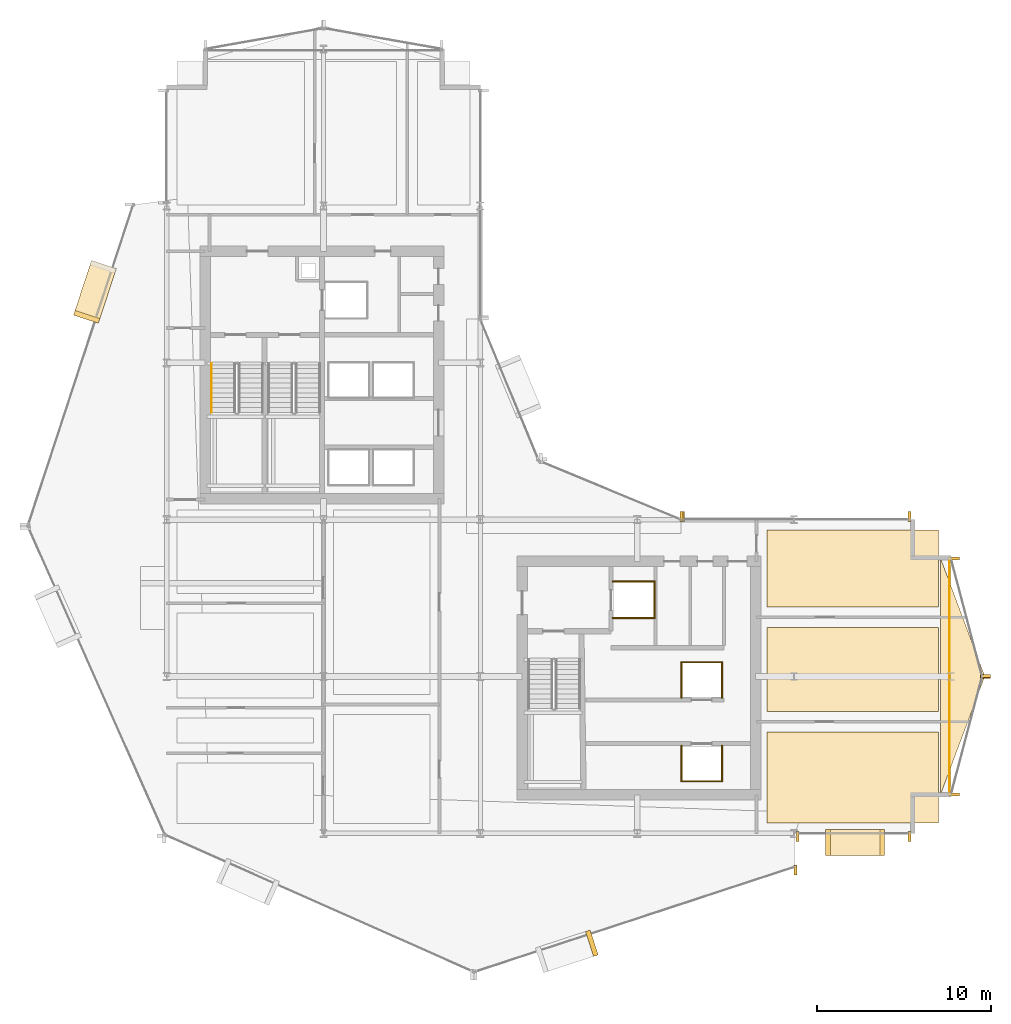
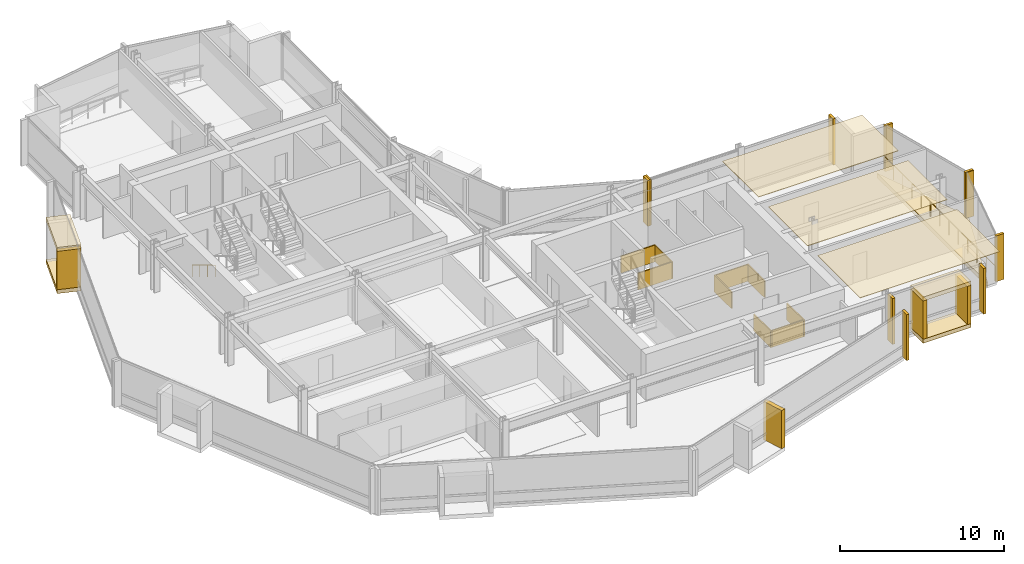
# One storey, part 27 of 28: 31 coverings, 2 railings.
"""IFC4 building model written with IfcOpenShell, lengths in metres."""

from ifc_helpers import new_model, si_unit, direction, frame, origin, origin_2d, place, context, subcontext, project, spatial, polyline, rectangle, circle, outline, extrude, material, layer, layer_set, type_object, element, save


model = new_model("IFC4")

# Units and contexts
model_context = context("Model", 3, precision=1e-05, world=origin(), true_north=direction((0.0, 1.0)))
body_context = subcontext(model_context, "Body", "Model", "MODEL_VIEW")
ifc_project = project(units=[si_unit("LENGTHUNIT", "METRE"), si_unit("AREAUNIT", "SQUARE_METRE"), si_unit("VOLUMEUNIT", "CUBIC_METRE"), si_unit("PLANEANGLEUNIT", "RADIAN"), si_unit("MASSUNIT", "GRAM", prefix="KILO")], contexts=[model_context])

# Site, building, storey
site_placement = place(None, origin())
site = spatial("IfcSite", under=ifc_project, at=site_placement, CompositionType="ELEMENT")
building_placement = place(site_placement, origin())
building = spatial("IfcBuilding", under=site, at=building_placement, Name="Solvaryn Broadcast Tower", CompositionType="ELEMENT")
storey_placement = place(building_placement, frame((0.0, 0.0, 110.0)))
storey = spatial("IfcBuildingStorey", under=building, at=storey_placement, Name="L26", CompositionType="ELEMENT", Elevation=110.0)

# Coverings
ifc_material_1 = material(Name="Micro-Perforated Acoustic Gypsum Ceiling", Category="concrete")
ifc_layer_1 = layer(ifc_material_1, 0.0400390625)
ifc_layer_set_1 = layer_set([ifc_layer_1], Name="CV-CEIL-ACOUSTIC")
covering_type_1 = type_object("IfcCoveringType", Name="CV-CEIL-ACOUSTIC", PredefinedType="CEILING", material=ifc_layer_set_1)
covering_1_placement = place(storey_placement, frame((0.0, 0.0, 3.3798828125)))
element("IfcCovering", 1, at=covering_1_placement, inside=storey, type_object=covering_type_1, Name="L26 Room Acoustic Ceiling 10", PredefinedType="CEILING", context=body_context, shape_type="SweptSolid", body=[
    extrude(outline(polyline([(43.449951171875, 9.60009765625), (53.300048828125, 9.60009765625), (53.300048828125, 14.800048828125), (43.449951171875, 14.800048828125), (43.449951171875, 9.60009765625)])), origin(), (0.0, 0.0, 1.0), 0.0400390625),
])
covering_2_placement = place(storey_placement, frame((0.0, 0.0, 3.3798828125)))
element("IfcCovering", 2, at=covering_2_placement, inside=storey, type_object=covering_type_1, Name="L26 Room Acoustic Ceiling 11", PredefinedType="CEILING", context=body_context, shape_type="SweptSolid", body=[
    extrude(outline(polyline([(43.449951171875, 16.0), (53.300048828125, 16.0), (53.300048828125, 20.800048828125), (43.449951171875, 20.800048828125), (43.449951171875, 16.0)])), origin(), (0.0, 0.0, 1.0), 0.0400390625),
])
covering_3_placement = place(storey_placement, frame((0.0, 0.0, 3.3798828125)))
element("IfcCovering", 3, at=covering_3_placement, inside=storey, type_object=covering_type_1, Name="L26 Room Acoustic Ceiling 12", PredefinedType="CEILING", context=body_context, shape_type="SweptSolid", body=[
    extrude(outline(polyline([(43.449951171875, 22.0), (53.300048828125, 22.0), (53.300048828125, 26.39990234375), (43.449951171875, 26.39990234375), (43.449951171875, 22.0)])), origin(), (0.0, 0.0, 1.0), 0.0400390625),
])
ifc_material_2 = material(Name="Fire-Rated Gypsum Shaftwall Liner", Category="concrete")
ifc_layer_2 = layer(ifc_material_2, 0.080078125)
ifc_layer_set_2 = layer_set([ifc_layer_2], Name="CV-SHAFT-LINER")
covering_type_2 = type_object("IfcCoveringType", Name="CV-SHAFT-LINER", PredefinedType="CLADDING", material=ifc_layer_set_2)
for number, where, z_axis, x_axis, name in (
    (4, (35.800048828125, 23.43994140625, 0.0), (0.0, 0.0, 1.0), (1.0, 0.0, 0.0), "L26 FL2 Hoistway Shaft Liner North"),
    (5, (35.800048828125, 21.360107421875, 0.0), (0.0, 0.0, 1.0), (1.0, 0.0, 0.0), "L26 FL2 Hoistway Shaft Liner South"),
):
    element("IfcCovering", number, at=place(storey_placement, frame(where, z_axis=z_axis, x_axis=x_axis)), inside=storey, type_object=covering_type_2, Name=name, PredefinedType="CLADDING", context=body_context, shape_type="SweptSolid", body=[
        extrude(rectangle(XDim=2.4599609375, YDim=0.080078125, at=origin_2d()), origin(), (0.0, 0.0, 1.0), 1.25),
    ])
covering_4_placement = place(storey_placement, frame((36.989990234375, 22.39990234375, 0.0), z_axis=(0.0, 0.0, 1.0), x_axis=(1.0, 0.0, 0.0)))
element("IfcCovering", 6, at=covering_4_placement, inside=storey, type_object=covering_type_2, Name="L26 FL2 Hoistway Shaft Liner East", PredefinedType="CLADDING", context=body_context, shape_type="SweptSolid", body=[
    extrude(rectangle(XDim=0.080078125, YDim=2.159912109375, at=origin_2d()), origin(), (0.0, 0.0, 1.0), 1.25),
])
covering_5_placement = place(storey_placement, frame((39.699951171875, 11.985107421875, 0.0), z_axis=(0.0, 0.0, 1.0), x_axis=(1.0, 0.0, 0.0)))
element("IfcCovering", 7, at=covering_5_placement, inside=storey, type_object=covering_type_2, Name="L26 PM1 Hoistway Shaft Liner South", PredefinedType="CLADDING", context=body_context, shape_type="SweptSolid", body=[
    extrude(rectangle(XDim=2.409912109375, YDim=0.080078125, at=origin_2d()), origin(), (0.0, 0.0, 1.0), 1.25),
])
for number, where, z_axis, x_axis, name in (
    (8, (40.864990234375, 13.0, 0.0), (0.0, 0.0, 1.0), (1.0, 0.0, 0.0), "L26 PM1 Hoistway Shaft Liner East"),
    (9, (38.534912109375, 13.0, 0.0), (0.0, 0.0, 1.0), (1.0, 0.0, 0.0), "L26 PM1 Hoistway Shaft Liner West"),
):
    element("IfcCovering", number, at=place(storey_placement, frame(where, z_axis=z_axis, x_axis=x_axis)), inside=storey, type_object=covering_type_2, Name=name, PredefinedType="CLADDING", context=body_context, shape_type="SweptSolid", body=[
        extrude(rectangle(XDim=0.080078125, YDim=2.110107421875, at=origin_2d()), origin(), (0.0, 0.0, 1.0), 1.25),
    ])
covering_6_placement = place(storey_placement, frame((39.699951171875, 18.81494140625, 0.0), z_axis=(0.0, 0.0, 1.0), x_axis=(1.0, 0.0, 0.0)))
element("IfcCovering", 10, at=covering_6_placement, inside=storey, type_object=covering_type_2, Name="L26 PM2 Hoistway Shaft Liner North", PredefinedType="CLADDING", context=body_context, shape_type="SweptSolid", body=[
    extrude(rectangle(XDim=2.409912109375, YDim=0.080078125, at=origin_2d()), origin(), (0.0, 0.0, 1.0), 1.25),
])
for number, where, z_axis, x_axis, name in (
    (11, (40.864990234375, 17.800048828125, 0.0), (0.0, 0.0, 1.0), (1.0, 0.0, 0.0), "L26 PM2 Hoistway Shaft Liner East"),
    (12, (38.534912109375, 17.800048828125, 0.0), (0.0, 0.0, 1.0), (1.0, 0.0, 0.0), "L26 PM2 Hoistway Shaft Liner West"),
):
    element("IfcCovering", number, at=place(storey_placement, frame(where, z_axis=z_axis, x_axis=x_axis)), inside=storey, type_object=covering_type_2, Name=name, PredefinedType="CLADDING", context=body_context, shape_type="SweptSolid", body=[
        extrude(rectangle(XDim=0.080078125, YDim=2.110107421875, at=origin_2d()), origin(), (0.0, 0.0, 1.0), 1.25),
    ])
ifc_material_3 = material(Name="Glazed Architectural Terracotta Rainscreen Cladding", Category="masonry")
ifc_layer_3 = layer(ifc_material_3, 0.280029296875)
ifc_layer_set_3 = layer_set([ifc_layer_3], Name="CV-TC-CLAD")
covering_type_3 = type_object("IfcCoveringType", Name="CV-TC-CLAD", PredefinedType="CLADDING", material=ifc_layer_set_3)
for number, where, z_axis, x_axis, name in (
    (13, (4.883056640625, 40.071044921875, 3.1298828125), (0.0, 0.0, 1.0), (-0.311671636848, -0.950189870912, 0.0), "L26 Projecting Stone Window Box Hood 1"),
    (14, (4.883056640625, 40.071044921875, -0.01025390625), (0.0, 0.0, 1.0), (-0.311671636848, -0.950189870912, 0.0), "L26 Projecting Stone Window Box Sill 1"),
):
    element("IfcCovering", number, at=place(storey_placement, frame(where, z_axis=z_axis, x_axis=x_axis)), inside=storey, type_object=covering_type_3, Name=name, PredefinedType="CLADDING", context=body_context, shape_type="SweptSolid", body=[
        extrude(rectangle(XDim=3.300048828125, YDim=1.5, at=origin_2d()), origin(), (0.0, 0.0, 1.0), 0.300048828125),
    ])
for number, where, z_axis, x_axis, name in (
    (15, (4.412353515625, 38.63623046875, 0.27978515625), (0.0, 0.0, 1.0), (-0.311671636848, -0.950189870912, 0.0), "L26 Projecting Stone Window Box Cheek 1-2"),
    (16, (33.396728515625, 2.693603515625, 0.27978515625), (0.0, 0.0, 1.0), (0.950189870912, 0.311671636848, 0.0), "L26 Projecting Stone Window Box Cheek 4-2"),
):
    element("IfcCovering", number, at=place(storey_placement, frame(where, z_axis=z_axis, x_axis=x_axis)), inside=storey, type_object=covering_type_3, Name=name, PredefinedType="CLADDING", context=body_context, shape_type="SweptSolid", body=[
        extrude(rectangle(XDim=0.280029296875, YDim=1.5, at=origin_2d()), origin(), (0.0, 0.0, 1.0), 2.860107421875),
    ])
for number, where, z_axis, x_axis, name in (
    (17, (48.5, 8.469970703125, 3.1298828125), (0.0, 0.0, 1.0), (1.0, 0.0, 0.0), "L26 Projecting Stone Window Box Hood 6"),
    (18, (48.5, 8.469970703125, -0.01025390625), (0.0, 0.0, 1.0), (1.0, 0.0, 0.0), "L26 Projecting Stone Window Box Sill 6"),
):
    element("IfcCovering", number, at=place(storey_placement, frame(where, z_axis=z_axis, x_axis=x_axis)), inside=storey, type_object=covering_type_3, Name=name, PredefinedType="CLADDING", context=body_context, shape_type="SweptSolid", body=[
        extrude(rectangle(XDim=3.39990234375, YDim=1.5, at=origin_2d()), origin(), (0.0, 0.0, 1.0), 0.300048828125),
    ])
for number, where, z_axis, x_axis, name in (
    (19, (46.93994140625, 8.469970703125, 0.27978515625), (0.0, 0.0, 1.0), (1.0, 0.0, 0.0), "L26 Projecting Stone Window Box Cheek 6-1"),
    (20, (50.06005859375, 8.469970703125, 0.27978515625), (0.0, 0.0, 1.0), (1.0, 0.0, 0.0), "L26 Projecting Stone Window Box Cheek 6-2"),
):
    element("IfcCovering", number, at=place(storey_placement, frame(where, z_axis=z_axis, x_axis=x_axis)), inside=storey, type_object=covering_type_3, Name=name, PredefinedType="CLADDING", context=body_context, shape_type="SweptSolid", body=[
        extrude(rectangle(XDim=0.280029296875, YDim=1.5, at=origin_2d()), origin(), (0.0, 0.0, 1.0), 2.860107421875),
    ])
ifc_material_4 = material(Name="Extruded Architectural Terracotta Fin", Category="masonry")
ifc_layer_4 = layer(ifc_material_4, 0.179931640625)
ifc_layer_set_4 = layer_set([ifc_layer_4], Name="CV-TC-FIN")
covering_type_4 = type_object("IfcCoveringType", Name="CV-TC-FIN", PredefinedType="USERDEFINED", material=ifc_layer_set_4)
for number, where, z_axis, x_axis, name in (
    (21, (45.0947265625, 6.898681640625, 0.0), (0.0, 0.0, 1.0), (1.0, 0.0, 0.0), "L26 Terracotta Vertical Fin FIN-L26-DR4-M01"),
    (22, (38.541259765625, 27.177978515625, 0.0), (0.0, 0.0, 1.0), (1.0, 0.0, 0.0), "L26 Terracotta Vertical Fin FIN-L26-CN1-M00"),
    (23, (45.197021484375, 8.8125, 0.0), (0.0, 0.0, 1.0), (1.0, 0.0, 0.0), "L26 Terracotta Vertical Fin FIN-L26-S2-M00"),
    (24, (51.6201171875, 8.8125, 0.0), (0.0, 0.0, 1.0), (1.0, 0.0, 0.0), "L26 Terracotta Vertical Fin FIN-L26-S2-M01"),
):
    element("IfcCovering", number, at=place(storey_placement, frame(where, z_axis=z_axis, x_axis=x_axis)), inside=storey, type_object=covering_type_4, Name=name, ObjectType="FIN", PredefinedType="USERDEFINED", context=body_context, shape_type="SweptSolid", body=[
        extrude(rectangle(XDim=0.179931640625, YDim=0.580078125, at=origin_2d()), origin(), (0.0, 0.0, 1.0), 3.419921875),
    ])
for number, where, z_axis, x_axis, name in (
    (25, (54.1953125, 24.77099609375, 0.0), (0.0, 0.0, 1.0), (1.0, 0.0, 0.0), "L26 Terracotta Vertical Fin FIN-L26-ET1-M00"),
    (26, (55.979736328125, 18.029052734375, 0.0), (0.0, 0.0, 1.0), (1.0, 0.0, 0.0), "L26 Terracotta Vertical Fin FIN-L26-ET1-M01"),
    (27, (55.979736328125, 17.970947265625, 0.0), (0.0, 0.0, 1.0), (1.0, 0.0, 0.0), "L26 Terracotta Vertical Fin FIN-L26-ET2-M00"),
    (28, (54.1953125, 11.22900390625, 0.0), (0.0, 0.0, 1.0), (1.0, 0.0, 0.0), "L26 Terracotta Vertical Fin FIN-L26-ET2-M01"),
):
    element("IfcCovering", number, at=place(storey_placement, frame(where, z_axis=z_axis, x_axis=x_axis)), inside=storey, type_object=covering_type_4, Name=name, ObjectType="FIN", PredefinedType="USERDEFINED", context=body_context, shape_type="SweptSolid", body=[
        extrude(rectangle(XDim=0.580078125, YDim=0.179931640625, at=origin_2d()), origin(), (0.0, 0.0, 1.0), 3.419921875),
    ])
for number, where, z_axis, x_axis, name in (
    (29, (38.6298828125, 27.1875, 0.0), (0.0, 0.0, 1.0), (1.0, 0.0, 0.0), "L26 Terracotta Vertical Fin FIN-L26-IH-M00"),
    (30, (51.6201171875, 27.1875, 0.0), (0.0, 0.0, 1.0), (1.0, 0.0, 0.0), "L26 Terracotta Vertical Fin FIN-L26-IH-M01"),
):
    element("IfcCovering", number, at=place(storey_placement, frame(where, z_axis=z_axis, x_axis=x_axis)), inside=storey, type_object=covering_type_4, Name=name, ObjectType="FIN", PredefinedType="USERDEFINED", context=body_context, shape_type="SweptSolid", body=[
        extrude(rectangle(XDim=0.179931640625, YDim=0.580078125, at=origin_2d()), origin(), (0.0, 0.0, 1.0), 3.419921875),
    ])
ifc_material_5 = material(Name="Sculpted Architectural Terracotta Wave Fascia", Category="masonry")
ifc_layer_5 = layer(ifc_material_5, 0.340087890625)
ifc_layer_set_5 = layer_set([ifc_layer_5], Name="CV-WAVE-TRAY")
covering_type_5 = type_object("IfcCoveringType", Name="CV-WAVE-TRAY", PredefinedType="CLADDING", material=ifc_layer_set_5)
covering_7_placement = place(storey_placement, frame((0.0, 0.0, -0.300048828125)))
element("IfcCovering", 31, at=covering_7_placement, inside=storey, type_object=covering_type_5, Name="L26 East Curved Wing Deck", PredefinedType="CLADDING", context=body_context, shape_type="SweptSolid", body=[
    extrude(outline(polyline([(53.39990234375, 11.199951171875), (55.949951171875, 18.0), (53.39990234375, 24.800048828125), (53.39990234375, 11.199951171875)])), origin(), (0.0, 0.0, 1.0), 0.330078125),
])

# Railings
ifc_material_6 = material(Name="Brushed Stainless Steel Tubular Handrail", Category="steel")
railing_type_1 = type_object("IfcRailingType", Name="RL-STAIR-HANDRAIL", PredefinedType="HANDRAIL", material=ifc_material_6)
railing_1_placement = place(storey_placement, frame((11.570068359375, 35.9599609375, 0.168212890625)))
element("IfcRailing", 32, at=railing_1_placement, inside=storey, type_object=railing_type_1, Name="L26 ST1 stair handrail 1", PredefinedType="HANDRAIL", context=body_context, shape_type="SweptSolid", body=[
    extrude(circle(Radius=0.02392578125, at=origin_2d()), frame((0.0, 0.0, 0.8759765625), z_axis=(0.0, -0.857242210791, 0.514913383045), x_axis=(1.0, 0.0, 0.0)), (0.0, 0.0, 1.0), 3.266357421875),
    extrude(circle(Radius=0.02099609375, at=origin_2d()), origin(), (0.0, 0.0, 1.0), 0.851806640625),
    extrude(circle(Radius=0.02099609375, at=origin_2d()), frame((0.0, -0.933349609375, 0.560546875)), (0.0, 0.0, 1.0), 0.851806640625),
    extrude(circle(Radius=0.02099609375, at=origin_2d()), frame((0.0, -1.86669921875, 1.121337890625)), (0.0, 0.0, 1.0), 0.851806640625),
    extrude(circle(Radius=0.02099609375, at=origin_2d()), frame((0.0, -2.800048828125, 1.681884765625)), (0.0, 0.0, 1.0), 0.851806640625),
])
ifc_material_7 = material(Name="Stainless Steel and Laminated Glass Guard", Category="steel")
railing_type_2 = type_object("IfcRailingType", Name="RL-TER-1150", PredefinedType="BALUSTRADE", material=ifc_material_7)
railing_2_placement = place(storey_placement, frame((53.919921875, 11.199951171875, 0.0)))
element("IfcRailing", 33, at=railing_2_placement, inside=storey, type_object=railing_type_2, Name="L26 East Wing Spandrel Edge Guard", PredefinedType="BALUSTRADE", context=body_context, shape_type="SweptSolid", body=[
    extrude(circle(Radius=0.02392578125, at=origin_2d()), frame((0.0, 0.0, 1.1259765625), z_axis=(0.0, 1.0, 0.0), x_axis=(-1.0, 0.0, 0.0)), (0.0, 0.0, 1.0), 13.60009765625),
    extrude(circle(Radius=0.02099609375, at=origin_2d()), origin(), (0.0, 0.0, 1.0), 1.101806640625),
    extrude(circle(Radius=0.02099609375, at=origin_2d()), frame((0.0, 1.13330078125, 0.0)), (0.0, 0.0, 1.0), 1.101806640625),
    extrude(circle(Radius=0.02099609375, at=origin_2d()), frame((0.0, 2.2666015625, 0.0)), (0.0, 0.0, 1.0), 1.101806640625),
    extrude(circle(Radius=0.02099609375, at=origin_2d()), frame((0.0, 3.39990234375, 0.0)), (0.0, 0.0, 1.0), 1.101806640625),
    extrude(circle(Radius=0.02099609375, at=origin_2d()), frame((0.0, 4.533447265625, 0.0)), (0.0, 0.0, 1.0), 1.101806640625),
    extrude(circle(Radius=0.02099609375, at=origin_2d()), frame((0.0, 5.666748046875, 0.0)), (0.0, 0.0, 1.0), 1.101806640625),
    extrude(circle(Radius=0.02099609375, at=origin_2d()), frame((0.0, 6.800048828125, 0.0)), (0.0, 0.0, 1.0), 1.101806640625),
    extrude(circle(Radius=0.02099609375, at=origin_2d()), frame((0.0, 7.933349609375, 0.0)), (0.0, 0.0, 1.0), 1.101806640625),
    extrude(circle(Radius=0.02099609375, at=origin_2d()), frame((0.0, 9.066650390625, 0.0)), (0.0, 0.0, 1.0), 1.101806640625),
    extrude(circle(Radius=0.02099609375, at=origin_2d()), frame((0.0, 10.2001953125, 0.0)), (0.0, 0.0, 1.0), 1.101806640625),
    extrude(circle(Radius=0.02099609375, at=origin_2d()), frame((0.0, 11.33349609375, 0.0)), (0.0, 0.0, 1.0), 1.101806640625),
    extrude(circle(Radius=0.02099609375, at=origin_2d()), frame((0.0, 12.466796875, 0.0)), (0.0, 0.0, 1.0), 1.101806640625),
    extrude(circle(Radius=0.02099609375, at=origin_2d()), frame((0.0, 13.60009765625, 0.0)), (0.0, 0.0, 1.0), 1.101806640625),
])

save(model, "model.ifc")
